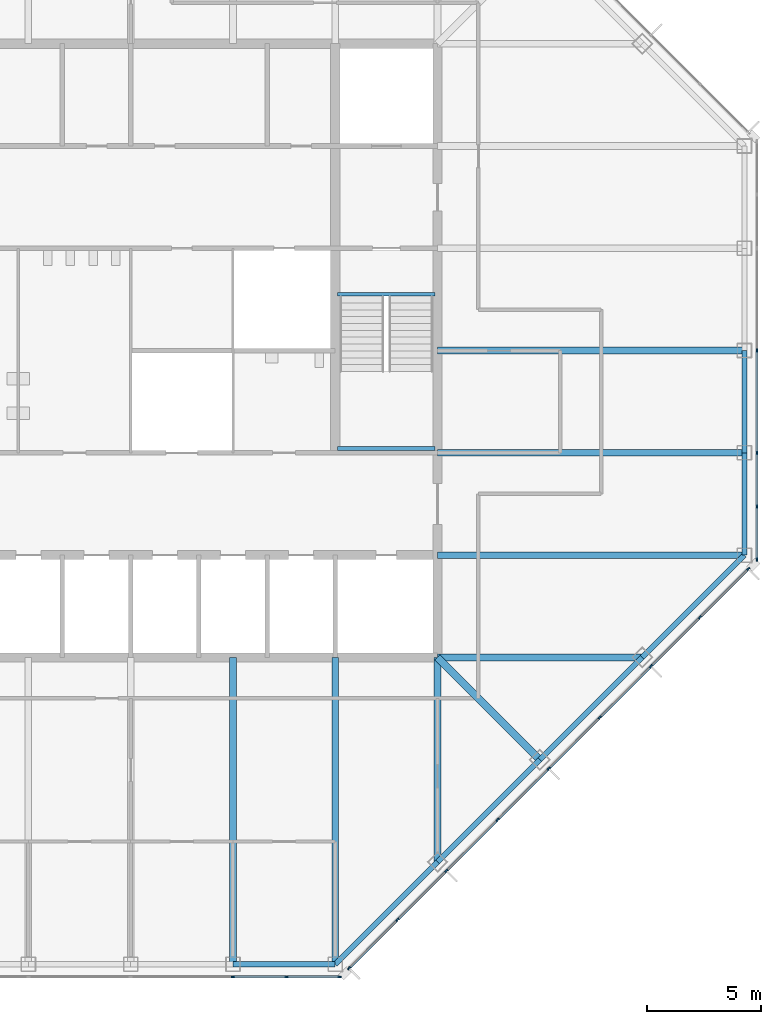
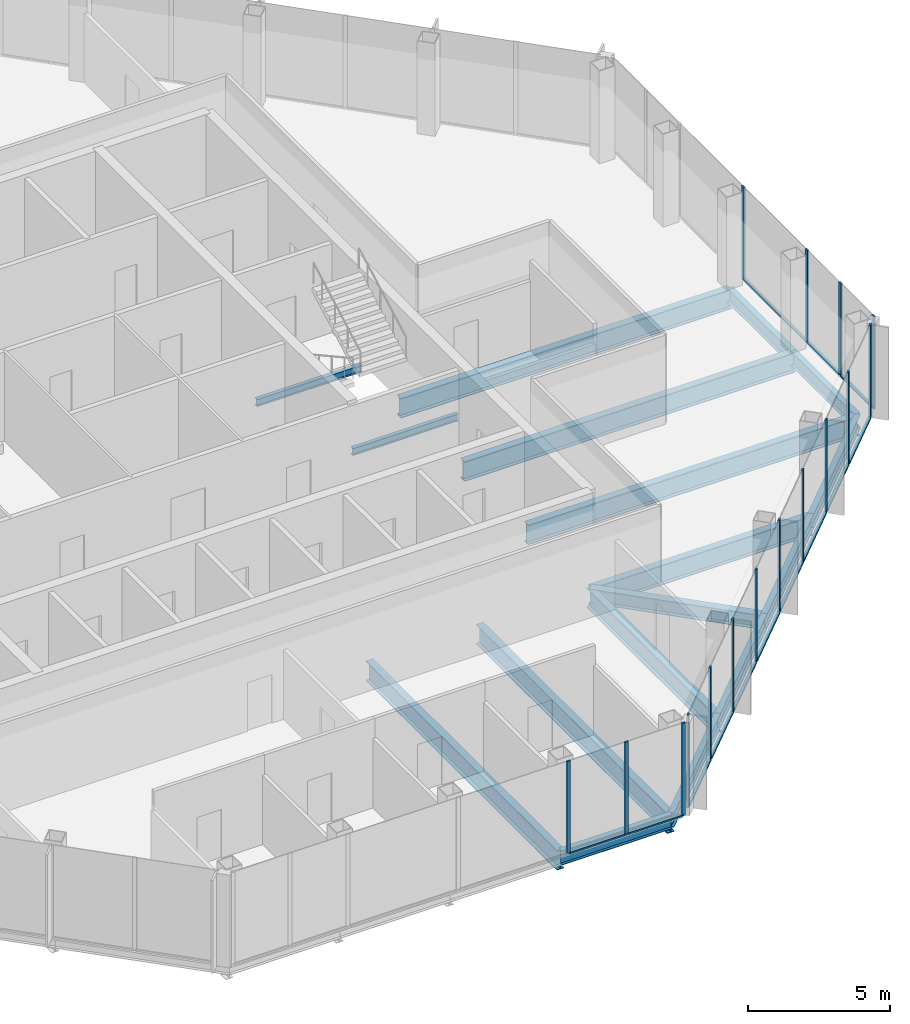
# One storey, part 4 of 14: 29 members, 17 beams, 3 elements without a shape of their own.
"""IFC4 building model written with IfcOpenShell, lengths in metres."""

from ifc_helpers import new_model, si_unit, direction, frame, origin, origin_2d, place, context, subcontext, project, spatial, rectangle, i_section, extrude, material, material_profile, profile_set, type_object, element, aggregate, save


model = new_model("IFC4")

# Units and contexts
model_context = context("Model", 3, precision=1e-05, world=origin(), true_north=direction((0.0, 1.0)))
body_context = subcontext(model_context, "Body", "Model", "MODEL_VIEW")
ifc_project = project(units=[si_unit("LENGTHUNIT", "METRE"), si_unit("AREAUNIT", "SQUARE_METRE"), si_unit("VOLUMEUNIT", "CUBIC_METRE"), si_unit("PLANEANGLEUNIT", "RADIAN"), si_unit("MASSUNIT", "GRAM", prefix="KILO")], contexts=[model_context])

# Site, building, storey
site_placement = place(None, origin())
site = spatial("IfcSite", under=ifc_project, at=site_placement, CompositionType="ELEMENT")
building_placement = place(site_placement, origin())
building = spatial("IfcBuilding", under=site, at=building_placement, Name="Corais Broadcast Tower", CompositionType="ELEMENT")
storey_placement = place(building_placement, frame((0.0, 0.0, 246.60009765625)))
storey = spatial("IfcBuildingStorey", under=building, at=storey_placement, Name="L57", CompositionType="ELEMENT", Elevation=246.60009765625)

# Beams
ifc_material_1 = material(Name="Steel ASTM A572 Grade 50", Category="steel")
ifc_material_profile_1 = material_profile(ifc_material_1, i_section(OverallWidth=0.323974609375, OverallDepth=0.611083984375, WebThickness=0.0126953125, FlangeThickness=0.01904296875, at=origin_2d()), Name="W610x155")
ifc_profile_set_1 = profile_set([ifc_material_profile_1], Name="Steel ASTM A572 Grade 50")
beam_type_1 = type_object("IfcBeamType", Name="Corner diagonal W610x155", PredefinedType="BEAM", material=ifc_profile_set_1)
beam_1_placement = place(storey_placement, frame((45.0, 9.0, -0.465576171875), z_axis=(-0.707106781187, 0.707106781187, 0.0), x_axis=(-0.707106781187, -0.707106781187, 0.0)))
element("IfcBeam", 1, at=beam_1_placement, inside=storey, type_object=beam_type_1, Name="B6 C/13 to D/12", PredefinedType="BEAM", context=body_context, shape_type="SweptSolid", body=[
    extrude(i_section(OverallWidth=0.323974609375, OverallDepth=0.611083984375, WebThickness=0.0126953125, FlangeThickness=0.01904296875, at=origin_2d()), origin(), (0.0, 0.0, 1.0), 6.364013671875),
])
ifc_material_2 = material(Name="Steel ASTM A572 Grade 50", Category="steel")
ifc_material_profile_2 = material_profile(ifc_material_2, i_section(OverallWidth=0.2939453125, OverallDepth=0.85107421875, WebThickness=0.01611328125, FlangeThickness=0.02685546875, at=origin_2d()), Name="W840x226")
ifc_profile_set_2 = profile_set([ifc_material_profile_2], Name="Steel ASTM A572 Grade 50")
beam_type_2 = type_object("IfcBeamType", Name="Floor beam W840x226", PredefinedType="BEAM", material=ifc_profile_set_2)
for number, where, z_axis, x_axis, name in (
    (2, (31.5, 0.0, -0.585693359375), (0.0, 1.0, 0.0), (-1.0, 0.0, 0.0), "B1 A/10 to D/10"),
    (3, (36.0, 0.0, -0.585693359375), (0.0, 1.0, 0.0), (-1.0, 0.0, 0.0), "B1 A/11 to D/11"),
):
    element("IfcBeam", number, at=place(storey_placement, frame(where, z_axis=z_axis, x_axis=x_axis)), inside=storey, type_object=beam_type_2, Name=name, PredefinedType="BEAM", context=body_context, shape_type="SweptSolid", body=[
        extrude(i_section(OverallWidth=0.2939453125, OverallDepth=0.85107421875, WebThickness=0.01611328125, FlangeThickness=0.02685546875, at=origin_2d()), origin(), (0.0, 0.0, 1.0), 13.5),
    ])
for number, where, z_axis, x_axis, name in (
    (4, (40.5, 4.5, -0.585693359375), (0.0, 1.0, 0.0), (-1.0, 0.0, 0.0), "B1 B/12 to D/12"),
    (5, (49.5, 13.5, -0.585693359375), (-1.0, 0.0, 0.0), (0.0, -1.0, 0.0), "B1 D/14 to D/12"),
):
    element("IfcBeam", number, at=place(storey_placement, frame(where, z_axis=z_axis, x_axis=x_axis)), inside=storey, type_object=beam_type_2, Name=name, PredefinedType="BEAM", context=body_context, shape_type="SweptSolid", body=[
        extrude(i_section(OverallWidth=0.2939453125, OverallDepth=0.85107421875, WebThickness=0.01611328125, FlangeThickness=0.02685546875, at=origin_2d()), origin(), (0.0, 0.0, 1.0), 9.0),
    ])
for number, where, z_axis, x_axis, name in (
    (6, (54.0, 18.0, -0.585693359375), (-1.0, 0.0, 0.0), (0.0, -1.0, 0.0), "B1 E/15 to E/12"),
    (7, (54.0, 22.5, -0.585693359375), (-1.0, 0.0, 0.0), (0.0, -1.0, 0.0), "B1 F/15 to F/12"),
    (8, (54.0, 27.0, -0.585693359375), (-1.0, 0.0, 0.0), (0.0, -1.0, 0.0), "B1 G/15 to G/12"),
):
    element("IfcBeam", number, at=place(storey_placement, frame(where, z_axis=z_axis, x_axis=x_axis)), inside=storey, type_object=beam_type_2, Name=name, PredefinedType="BEAM", context=body_context, shape_type="SweptSolid", body=[
        extrude(i_section(OverallWidth=0.2939453125, OverallDepth=0.85107421875, WebThickness=0.01611328125, FlangeThickness=0.02685546875, at=origin_2d()), origin(), (0.0, 0.0, 1.0), 13.5),
    ])
ifc_material_3 = material(Name="Steel ASTM A572 Grade 50", Category="steel")
ifc_material_profile_3 = material_profile(ifc_material_3, i_section(OverallWidth=0.1650390625, OverallDepth=0.31005859375, WebThickness=0.005859375, FlangeThickness=0.009765625, at=origin_2d()), Name="W310x38.7")
ifc_profile_set_3 = profile_set([ifc_material_profile_3], Name="Steel ASTM A572 Grade 50")
beam_type_3 = type_object("IfcBeamType", Name="Landing trimmer W310x38.7", PredefinedType="BEAM", material=ifc_profile_set_3)
for number, where, z_axis, x_axis, name in (
    (9, (36.10009765625, 29.47509765625, -0.35498046875), (1.0, 0.0, 0.0), (0.0, 1.0, 0.0), "LT1 stair B landing trimmer L57"),
    (10, (36.10009765625, 22.68994140625, 1.64501953125), (1.0, 0.0, 0.0), (0.0, 1.0, 0.0), "LT1 stair B half landing trimmer L57"),
):
    element("IfcBeam", number, at=place(storey_placement, frame(where, z_axis=z_axis, x_axis=x_axis)), inside=storey, type_object=beam_type_3, Name=name, PredefinedType="BEAM", context=body_context, shape_type="SweptSolid", body=[
        extrude(i_section(OverallWidth=0.1650390625, OverallDepth=0.31005859375, WebThickness=0.005859375, FlangeThickness=0.009765625, at=origin_2d()), origin(), (0.0, 0.0, 1.0), 4.2998046875),
    ])

# Curtain wall, members
ifc_material_4 = material(Name="Aluminium and glass", Category="aluminium")
curtain_wall_type = type_object("IfcCurtainWallType", Name="Unitised fritted curtain wall CW3", PredefinedType="NOTDEFINED", material=ifc_material_4)
curtain_wall_1_placement = place(storey_placement, origin())
curtain_wall_1 = element("IfcCurtainWall", 11, at=curtain_wall_1_placement, inside=storey, type_object=curtain_wall_type, Name="CW3 curtain wall L57 6", PredefinedType="NOTDEFINED")
ifc_material_5 = material(Name="Aluminium 6063-T6", Category="aluminium")
ifc_material_profile_4 = material_profile(ifc_material_5, rectangle(XDim=0.06494140625, YDim=0.159912109375, at=origin_2d()), Name="Mullion CW3 65x160")
ifc_profile_set_4 = profile_set([ifc_material_profile_4], Name="Aluminium 6063-T6")
member_type_1 = type_object("IfcMemberType", Name="Mullion CW3 65x160", PredefinedType="MULLION", material=ifc_profile_set_4)
member_1_placement = place(storey_placement, frame((54.550048828125, 27.0, 0.0), z_axis=(0.0, 0.0, 1.0), x_axis=(1.0, 0.0, 0.0)))
member_1 = element("IfcMember", 12, at=member_1_placement, type_object=member_type_1, Name="CW3 mullion 4", PredefinedType="MULLION", context=body_context, shape_type="SweptSolid", body=[
    extrude(rectangle(XDim=0.06494140625, YDim=0.159912109375, at=origin_2d()), origin(), (0.0, 0.0, 1.0), 4.0),
])
member_2_placement = place(storey_placement, frame((54.550048828125, 22.5, 0.0), z_axis=(0.0, 0.0, 1.0), x_axis=(1.0, 0.0, 0.0)))
member_2 = element("IfcMember", 13, at=member_2_placement, type_object=member_type_1, Name="CW3 mullion 5", PredefinedType="MULLION", context=body_context, shape_type="SweptSolid", body=[
    extrude(rectangle(XDim=0.06494140625, YDim=0.159912109375, at=origin_2d()), origin(), (0.0, 0.0, 1.0), 4.0),
])
member_3_placement = place(storey_placement, frame((54.550048828125, 20.135986328125, 0.0), z_axis=(0.0, 0.0, 1.0), x_axis=(1.0, 0.0, 0.0)))
member_3 = element("IfcMember", 14, at=member_3_placement, type_object=member_type_1, Name="CW3 mullion 6", PredefinedType="MULLION", context=body_context, shape_type="SweptSolid", body=[
    extrude(rectangle(XDim=0.06494140625, YDim=0.159912109375, at=origin_2d()), origin(), (0.0, 0.0, 1.0), 4.0),
])
member_4_placement = place(storey_placement, frame((54.550048828125, 17.8046875, 0.0), z_axis=(0.0, 0.0, 1.0), x_axis=(1.0, 0.0, 0.0)))
member_4 = element("IfcMember", 15, at=member_4_placement, type_object=member_type_1, Name="CW3 mullion 7", PredefinedType="MULLION", context=body_context, shape_type="SweptSolid", body=[
    extrude(rectangle(XDim=0.06494140625, YDim=0.159912109375, at=origin_2d()), origin(), (0.0, 0.0, 1.0), 4.0),
])

curtain_wall_2_placement = place(storey_placement, origin())
curtain_wall_2 = element("IfcCurtainWall", 16, at=curtain_wall_2_placement, inside=storey, type_object=curtain_wall_type, Name="CW3 curtain wall L57 7", PredefinedType="NOTDEFINED")
member_5_placement = place(storey_placement, frame((54.17333984375, 17.3955078125, 0.0), z_axis=(0.0, 0.0, 1.0), x_axis=(0.707106781187, -0.707106781187, 0.0)))
member_5 = element("IfcMember", 17, at=member_5_placement, type_object=member_type_1, Name="CW3 mullion 1", PredefinedType="MULLION", context=body_context, shape_type="SweptSolid", body=[
    extrude(rectangle(XDim=0.06494140625, YDim=0.159912109375, at=origin_2d()), origin(), (0.0, 0.0, 1.0), 4.0),
])
member_6_placement = place(storey_placement, frame((52.042724609375, 15.264892578125, 0.0), z_axis=(0.0, 0.0, 1.0), x_axis=(0.707106781187, -0.707106781187, 0.0)))
member_6 = element("IfcMember", 18, at=member_6_placement, type_object=member_type_1, Name="CW3 mullion 2", PredefinedType="MULLION", context=body_context, shape_type="SweptSolid", body=[
    extrude(rectangle(XDim=0.06494140625, YDim=0.159912109375, at=origin_2d()), origin(), (0.0, 0.0, 1.0), 4.0),
])
member_7_placement = place(storey_placement, frame((49.888916015625, 13.111083984375, 0.0), z_axis=(0.0, 0.0, 1.0), x_axis=(0.707106781187, -0.707106781187, 0.0)))
member_7 = element("IfcMember", 19, at=member_7_placement, type_object=member_type_1, Name="CW3 mullion 3", PredefinedType="MULLION", context=body_context, shape_type="SweptSolid", body=[
    extrude(rectangle(XDim=0.06494140625, YDim=0.159912109375, at=origin_2d()), origin(), (0.0, 0.0, 1.0), 4.0),
])
member_8_placement = place(storey_placement, frame((47.638916015625, 10.861083984375, 0.0), z_axis=(0.0, 0.0, 1.0), x_axis=(0.707106781187, -0.707106781187, 0.0)))
member_8 = element("IfcMember", 20, at=member_8_placement, type_object=member_type_1, Name="CW3 mullion 4", PredefinedType="MULLION", context=body_context, shape_type="SweptSolid", body=[
    extrude(rectangle(XDim=0.06494140625, YDim=0.159912109375, at=origin_2d()), origin(), (0.0, 0.0, 1.0), 4.0),
])
member_9_placement = place(storey_placement, frame((45.388916015625, 8.611083984375, 0.0), z_axis=(0.0, 0.0, 1.0), x_axis=(0.707106781187, -0.707106781187, 0.0)))
member_9 = element("IfcMember", 21, at=member_9_placement, type_object=member_type_1, Name="CW3 mullion 5", PredefinedType="MULLION", context=body_context, shape_type="SweptSolid", body=[
    extrude(rectangle(XDim=0.06494140625, YDim=0.159912109375, at=origin_2d()), origin(), (0.0, 0.0, 1.0), 4.0),
])
member_10_placement = place(storey_placement, frame((43.138916015625, 6.361083984375, 0.0), z_axis=(0.0, 0.0, 1.0), x_axis=(0.707106781187, -0.707106781187, 0.0)))
member_10 = element("IfcMember", 22, at=member_10_placement, type_object=member_type_1, Name="CW3 mullion 6", PredefinedType="MULLION", context=body_context, shape_type="SweptSolid", body=[
    extrude(rectangle(XDim=0.06494140625, YDim=0.159912109375, at=origin_2d()), origin(), (0.0, 0.0, 1.0), 4.0),
])
member_11_placement = place(storey_placement, frame((40.888916015625, 4.111083984375, 0.0), z_axis=(0.0, 0.0, 1.0), x_axis=(0.707106781187, -0.707106781187, 0.0)))
member_11 = element("IfcMember", 23, at=member_11_placement, type_object=member_type_1, Name="CW3 mullion 7", PredefinedType="MULLION", context=body_context, shape_type="SweptSolid", body=[
    extrude(rectangle(XDim=0.06494140625, YDim=0.159912109375, at=origin_2d()), origin(), (0.0, 0.0, 1.0), 4.0),
])
member_12_placement = place(storey_placement, frame((38.735107421875, 1.957275390625, 0.0), z_axis=(0.0, 0.0, 1.0), x_axis=(0.707106781187, -0.707106781187, 0.0)))
member_12 = element("IfcMember", 24, at=member_12_placement, type_object=member_type_1, Name="CW3 mullion 8", PredefinedType="MULLION", context=body_context, shape_type="SweptSolid", body=[
    extrude(rectangle(XDim=0.06494140625, YDim=0.159912109375, at=origin_2d()), origin(), (0.0, 0.0, 1.0), 4.0),
])
member_13_placement = place(storey_placement, frame((36.6044921875, -0.17333984375, 0.0), z_axis=(0.0, 0.0, 1.0), x_axis=(0.707106781187, -0.707106781187, 0.0)))
member_13 = element("IfcMember", 25, at=member_13_placement, type_object=member_type_1, Name="CW3 mullion 9", PredefinedType="MULLION", context=body_context, shape_type="SweptSolid", body=[
    extrude(rectangle(XDim=0.06494140625, YDim=0.159912109375, at=origin_2d()), origin(), (0.0, 0.0, 1.0), 4.0),
])

curtain_wall_3_placement = place(storey_placement, origin())
curtain_wall_3 = element("IfcCurtainWall", 26, at=curtain_wall_3_placement, inside=storey, type_object=curtain_wall_type, Name="CW3 curtain wall L57 8", PredefinedType="NOTDEFINED")
member_14_placement = place(storey_placement, frame((36.1953125, -0.550048828125, 0.0), z_axis=(0.0, 0.0, 1.0), x_axis=(0.0, -1.0, 0.0)))
member_14 = element("IfcMember", 27, at=member_14_placement, type_object=member_type_1, Name="CW3 mullion 1", PredefinedType="MULLION", context=body_context, shape_type="SweptSolid", body=[
    extrude(rectangle(XDim=0.06494140625, YDim=0.159912109375, at=origin_2d()), origin(), (0.0, 0.0, 1.0), 4.0),
])
member_15_placement = place(storey_placement, frame((33.864013671875, -0.550048828125, 0.0), z_axis=(0.0, 0.0, 1.0), x_axis=(0.0, -1.0, 0.0)))
member_15 = element("IfcMember", 28, at=member_15_placement, type_object=member_type_1, Name="CW3 mullion 2", PredefinedType="MULLION", context=body_context, shape_type="SweptSolid", body=[
    extrude(rectangle(XDim=0.06494140625, YDim=0.159912109375, at=origin_2d()), origin(), (0.0, 0.0, 1.0), 4.0),
])
member_16_placement = place(storey_placement, frame((31.5, -0.550048828125, 0.0), z_axis=(0.0, 0.0, 1.0), x_axis=(0.0, -1.0, 0.0)))
member_16 = element("IfcMember", 29, at=member_16_placement, type_object=member_type_1, Name="CW3 mullion 3", PredefinedType="MULLION", context=body_context, shape_type="SweptSolid", body=[
    extrude(rectangle(XDim=0.06494140625, YDim=0.159912109375, at=origin_2d()), origin(), (0.0, 0.0, 1.0), 4.0),
])

# Beams
ifc_material_6 = material(Name="Steel ASTM A572 Grade 50", Category="steel")
ifc_material_profile_5 = material_profile(ifc_material_6, i_section(OverallWidth=0.22998046875, OverallDepth=0.616943359375, WebThickness=0.01318359375, FlangeThickness=0.022216796875, at=origin_2d()), Name="W610x140")
ifc_profile_set_5 = profile_set([ifc_material_profile_5], Name="Steel ASTM A572 Grade 50")
beam_type_4 = type_object("IfcBeamType", Name="Spandrel W610x140", PredefinedType="BEAM", material=ifc_profile_set_5)
beam_2_placement = place(storey_placement, frame((31.5, 0.0, -0.468505859375), z_axis=(1.0, 0.0, 0.0), x_axis=(0.0, 1.0, 0.0)))
element("IfcBeam", 30, at=beam_2_placement, inside=storey, type_object=beam_type_4, Name="SB3 A/10 to A/11", PredefinedType="BEAM", context=body_context, shape_type="SweptSolid", body=[
    extrude(i_section(OverallWidth=0.22998046875, OverallDepth=0.616943359375, WebThickness=0.01318359375, FlangeThickness=0.022216796875, at=origin_2d()), origin(), (0.0, 0.0, 1.0), 4.5),
])
for number, where, z_axis, x_axis, name in (
    (31, (36.0, 0.0, -0.468505859375), (0.707106781187, 0.707106781187, 0.0), (-0.707106781187, 0.707106781187, 0.0), "SB3 A/11 to B/12"),
    (32, (40.5, 4.5, -0.468505859375), (0.707106781187, 0.707106781187, 0.0), (-0.707106781187, 0.707106781187, 0.0), "SB3 B/12 to C/13"),
    (33, (45.0, 9.0, -0.468505859375), (0.707106781187, 0.707106781187, 0.0), (-0.707106781187, 0.707106781187, 0.0), "SB3 C/13 to D/14"),
    (34, (49.5, 13.5, -0.468505859375), (0.707106781187, 0.707106781187, 0.0), (-0.707106781187, 0.707106781187, 0.0), "SB3 D/14 to E/15"),
):
    element("IfcBeam", number, at=place(storey_placement, frame(where, z_axis=z_axis, x_axis=x_axis)), inside=storey, type_object=beam_type_4, Name=name, PredefinedType="BEAM", context=body_context, shape_type="SweptSolid", body=[
        extrude(i_section(OverallWidth=0.22998046875, OverallDepth=0.616943359375, WebThickness=0.01318359375, FlangeThickness=0.022216796875, at=origin_2d()), origin(), (0.0, 0.0, 1.0), 6.364013671875),
    ])
for number, where, z_axis, x_axis, name in (
    (35, (54.0, 18.0, -0.468505859375), (0.0, 1.0, 0.0), (-1.0, 0.0, 0.0), "SB3 E/15 to F/15"),
    (36, (54.0, 22.5, -0.468505859375), (0.0, 1.0, 0.0), (-1.0, 0.0, 0.0), "SB3 F/15 to G/15"),
):
    element("IfcBeam", number, at=place(storey_placement, frame(where, z_axis=z_axis, x_axis=x_axis)), inside=storey, type_object=beam_type_4, Name=name, PredefinedType="BEAM", context=body_context, shape_type="SweptSolid", body=[
        extrude(i_section(OverallWidth=0.22998046875, OverallDepth=0.616943359375, WebThickness=0.01318359375, FlangeThickness=0.022216796875, at=origin_2d()), origin(), (0.0, 0.0, 1.0), 4.5),
    ])

# Member
ifc_material_7 = material(Name="Aluminium 6063-T6", Category="aluminium")
ifc_material_profile_6 = material_profile(ifc_material_7, rectangle(XDim=0.1201171875, YDim=0.06494140625, at=origin_2d()), Name="Transom CW3 65x120")
ifc_profile_set_6 = profile_set([ifc_material_profile_6], Name="Aluminium 6063-T6")
member_type_2 = type_object("IfcMemberType", Name="Transom CW3 65x120", PredefinedType="USERDEFINED", material=ifc_profile_set_6)
member_17_placement = place(storey_placement, frame((54.550048828125, 26.967529296875, 0.032470703125), z_axis=(0.0, -1.0, 0.0), x_axis=(1.0, 0.0, 0.0)))
member_17 = element("IfcMember", 37, at=member_17_placement, type_object=member_type_2, Name="CW3 transom 4.1", ObjectType="TRANSOM", PredefinedType="USERDEFINED", context=body_context, shape_type="SweptSolid", body=[
    extrude(rectangle(XDim=0.1201171875, YDim=0.06494140625, at=origin_2d()), origin(), (0.0, 0.0, 1.0), 4.43505859375),
])

member_18_placement = place(storey_placement, frame((54.550048828125, 22.467529296875, 0.032470703125), z_axis=(0.0, -1.0, 0.0), x_axis=(1.0, 0.0, 0.0)))
member_18 = element("IfcMember", 38, at=member_18_placement, type_object=member_type_2, Name="CW3 transom 5.1", ObjectType="TRANSOM", PredefinedType="USERDEFINED", context=body_context, shape_type="SweptSolid", body=[
    extrude(rectangle(XDim=0.1201171875, YDim=0.06494140625, at=origin_2d()), origin(), (0.0, 0.0, 1.0), 2.298828125),
])

member_19_placement = place(storey_placement, frame((54.550048828125, 20.103515625, 0.032470703125), z_axis=(0.0, -1.0, 0.0), x_axis=(1.0, 0.0, 0.0)))
member_19 = element("IfcMember", 39, at=member_19_placement, type_object=member_type_2, Name="CW3 transom 6.1", ObjectType="TRANSOM", PredefinedType="USERDEFINED", context=body_context, shape_type="SweptSolid", body=[
    extrude(rectangle(XDim=0.1201171875, YDim=0.06494140625, at=origin_2d()), origin(), (0.0, 0.0, 1.0), 2.266357421875),
])

aggregate(curtain_wall_1, [member_1, member_2, member_3, member_4, member_17, member_18, member_19])

member_20_placement = place(storey_placement, frame((54.150390625, 17.37255859375, 0.032470703125), z_axis=(-0.707106781187, -0.707106781187, 0.0), x_axis=(0.707106781187, -0.707106781187, 0.0)))
member_20 = element("IfcMember", 40, at=member_20_placement, type_object=member_type_2, Name="CW3 transom 1.1", ObjectType="TRANSOM", PredefinedType="USERDEFINED", context=body_context, shape_type="SweptSolid", body=[
    extrude(rectangle(XDim=0.1201171875, YDim=0.06494140625, at=origin_2d()), origin(), (0.0, 0.0, 1.0), 2.9482421875),
])

member_21_placement = place(storey_placement, frame((52.019775390625, 15.241943359375, 0.032470703125), z_axis=(-0.707106781187, -0.707106781187, 0.0), x_axis=(0.707106781187, -0.707106781187, 0.0)))
member_21 = element("IfcMember", 41, at=member_21_placement, type_object=member_type_2, Name="CW3 transom 2.1", ObjectType="TRANSOM", PredefinedType="USERDEFINED", context=body_context, shape_type="SweptSolid", body=[
    extrude(rectangle(XDim=0.1201171875, YDim=0.06494140625, at=origin_2d()), origin(), (0.0, 0.0, 1.0), 2.98095703125),
])

member_22_placement = place(storey_placement, frame((49.865966796875, 13.088134765625, 0.032470703125), z_axis=(-0.707106781187, -0.707106781187, 0.0), x_axis=(0.707106781187, -0.707106781187, 0.0)))
member_22 = element("IfcMember", 42, at=member_22_placement, type_object=member_type_2, Name="CW3 transom 3.1", ObjectType="TRANSOM", PredefinedType="USERDEFINED", context=body_context, shape_type="SweptSolid", body=[
    extrude(rectangle(XDim=0.1201171875, YDim=0.06494140625, at=origin_2d()), origin(), (0.0, 0.0, 1.0), 3.1171875),
])

member_23_placement = place(storey_placement, frame((47.615966796875, 10.838134765625, 0.032470703125), z_axis=(-0.707106781187, -0.707106781187, 0.0), x_axis=(0.707106781187, -0.707106781187, 0.0)))
member_23 = element("IfcMember", 43, at=member_23_placement, type_object=member_type_2, Name="CW3 transom 4.1", ObjectType="TRANSOM", PredefinedType="USERDEFINED", context=body_context, shape_type="SweptSolid", body=[
    extrude(rectangle(XDim=0.1201171875, YDim=0.06494140625, at=origin_2d()), origin(), (0.0, 0.0, 1.0), 3.1171875),
])

member_24_placement = place(storey_placement, frame((45.365966796875, 8.588134765625, 0.032470703125), z_axis=(-0.707106781187, -0.707106781187, 0.0), x_axis=(0.707106781187, -0.707106781187, 0.0)))
member_24 = element("IfcMember", 44, at=member_24_placement, type_object=member_type_2, Name="CW3 transom 5.1", ObjectType="TRANSOM", PredefinedType="USERDEFINED", context=body_context, shape_type="SweptSolid", body=[
    extrude(rectangle(XDim=0.1201171875, YDim=0.06494140625, at=origin_2d()), origin(), (0.0, 0.0, 1.0), 3.1171875),
])

member_25_placement = place(storey_placement, frame((43.115966796875, 6.338134765625, 0.032470703125), z_axis=(-0.707106781187, -0.707106781187, 0.0), x_axis=(0.707106781187, -0.707106781187, 0.0)))
member_25 = element("IfcMember", 45, at=member_25_placement, type_object=member_type_2, Name="CW3 transom 6.1", ObjectType="TRANSOM", PredefinedType="USERDEFINED", context=body_context, shape_type="SweptSolid", body=[
    extrude(rectangle(XDim=0.1201171875, YDim=0.06494140625, at=origin_2d()), origin(), (0.0, 0.0, 1.0), 3.1171875),
])

member_26_placement = place(storey_placement, frame((40.865966796875, 4.088134765625, 0.032470703125), z_axis=(-0.70714773134, -0.707065828661, 0.0), x_axis=(0.707065828661, -0.70714773134, 0.0)))
member_26 = element("IfcMember", 46, at=member_26_placement, type_object=member_type_2, Name="CW3 transom 7.1", ObjectType="TRANSOM", PredefinedType="USERDEFINED", context=body_context, shape_type="SweptSolid", body=[
    extrude(rectangle(XDim=0.1201171875, YDim=0.06494140625, at=origin_2d()), origin(), (0.0, 0.0, 1.0), 2.98095703125),
])

member_27_placement = place(storey_placement, frame((38.712158203125, 1.934326171875, 0.032470703125), z_axis=(-0.707106781187, -0.707106781187, 0.0), x_axis=(0.707106781187, -0.707106781187, 0.0)))
member_27 = element("IfcMember", 47, at=member_27_placement, type_object=member_type_2, Name="CW3 transom 8.1", ObjectType="TRANSOM", PredefinedType="USERDEFINED", context=body_context, shape_type="SweptSolid", body=[
    extrude(rectangle(XDim=0.1201171875, YDim=0.06494140625, at=origin_2d()), origin(), (0.0, 0.0, 1.0), 2.9482421875),
])

aggregate(curtain_wall_2, [member_5, member_6, member_7, member_8, member_9, member_10, member_11, member_12, member_13, member_20, member_21, member_22, member_23, member_24, member_25, member_26, member_27])

member_28_placement = place(storey_placement, frame((36.162841796875, -0.550048828125, 0.032470703125), z_axis=(-1.0, 0.0, 0.0), x_axis=(0.0, -1.0, 0.0)))
member_28 = element("IfcMember", 48, at=member_28_placement, type_object=member_type_2, Name="CW3 transom 1.1", ObjectType="TRANSOM", PredefinedType="USERDEFINED", context=body_context, shape_type="SweptSolid", body=[
    extrude(rectangle(XDim=0.1201171875, YDim=0.06494140625, at=origin_2d()), origin(), (0.0, 0.0, 1.0), 2.266357421875),
])

member_29_placement = place(storey_placement, frame((33.831298828125, -0.550048828125, 0.032470703125), z_axis=(-1.0, 0.0, 0.0), x_axis=(0.0, -1.0, 0.0)))
member_29 = element("IfcMember", 49, at=member_29_placement, type_object=member_type_2, Name="CW3 transom 2.1", ObjectType="TRANSOM", PredefinedType="USERDEFINED", context=body_context, shape_type="SweptSolid", body=[
    extrude(rectangle(XDim=0.1201171875, YDim=0.06494140625, at=origin_2d()), origin(), (0.0, 0.0, 1.0), 2.298828125),
])

aggregate(curtain_wall_3, [member_14, member_15, member_16, member_28, member_29])

save(model, "model.ifc")
